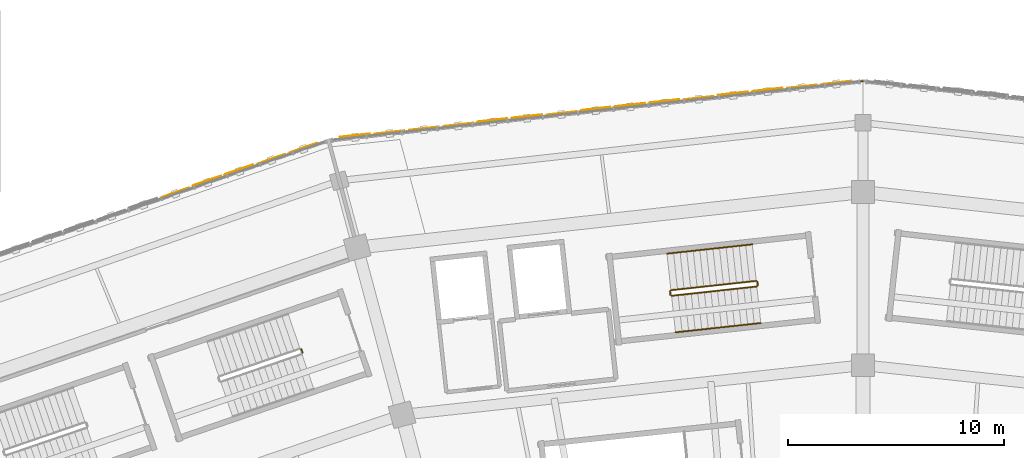
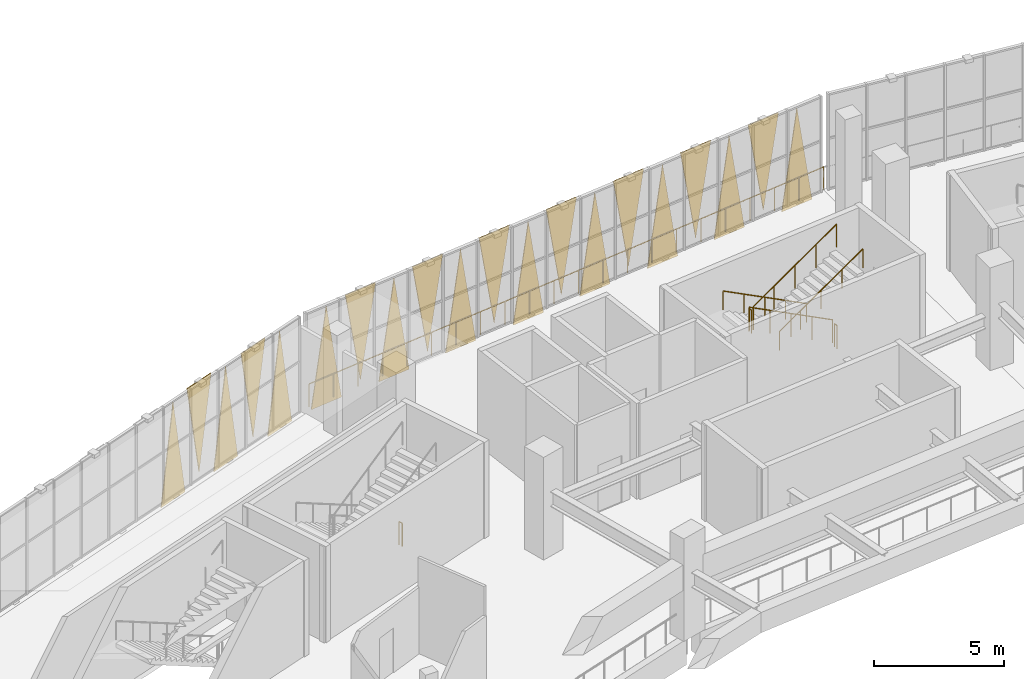
# One storey, part 167 of 179: 20 coverings, 8 railings.
"""IFC4 building model written with IfcOpenShell, lengths in metres."""

from ifc_helpers import new_model, si_unit, direction, frame, origin, origin_2d, place, context, subcontext, project, spatial, polyline, circle, outline, extrude, material, layer, layer_set, type_object, element, save


model = new_model("IFC4")

# Units and contexts
model_context = context("Model", 3, precision=1e-05, world=origin(), true_north=direction((0.0, 1.0)))
body_context = subcontext(model_context, "Body", "Model", "MODEL_VIEW")
ifc_project = project(units=[si_unit("LENGTHUNIT", "METRE"), si_unit("AREAUNIT", "SQUARE_METRE"), si_unit("VOLUMEUNIT", "CUBIC_METRE"), si_unit("PLANEANGLEUNIT", "RADIAN"), si_unit("MASSUNIT", "GRAM", prefix="KILO")], contexts=[model_context])

# Site, building, storey
site_placement = place(None, origin())
site = spatial("IfcSite", under=ifc_project, at=site_placement, CompositionType="ELEMENT")
building_placement = place(site_placement, origin())
building = spatial("IfcBuilding", under=site, at=building_placement, Name="Zevraka Park Crest Stadium", CompositionType="ELEMENT")
storey_placement = place(building_placement, frame((0.0, 0.0, 10.199951171875)))
storey = spatial("IfcBuildingStorey", under=building, at=storey_placement, Name="L02", CompositionType="ELEMENT", Elevation=10.199951171875)

# Coverings
ifc_material_1 = material(Name="Architectural golden-bronze perforated aluminium", Category="aluminium")
ifc_layer = layer(ifc_material_1, 0.034912109375)
ifc_layer_set = layer_set([ifc_layer], Name="Architectural golden-bronze perforated aluminium")
covering_type = type_object("IfcCoveringType", Name="CLD01", PredefinedType="CLADDING", material=ifc_layer_set)
covering_1_placement = place(storey_placement, frame((111.472900390625, 172.44189453125, -0.239990234375), z_axis=(-0.110543347983, 0.993871299146, 9.4612128e-05), x_axis=(-0.993871303594, -0.110543348478, 0.0)))
element("IfcCovering", 1, at=covering_1_placement, inside=storey, type_object=covering_type, Name="Triangular Golden-Bronze Perforated Cladding L02-06-1", PredefinedType="CLADDING", context=body_context, shape_type="SweptSolid", body=[
    extrude(outline(polyline([(0.0, 0.0), (1.4377667138168417, 0.0), (0.7183172281886288, 4.560058614159578), (0.0, 0.0)])), origin(), (0.0, 0.0, -1.0), 0.034912109375),
])
covering_2_placement = place(storey_placement, frame((108.4560546875, 172.10693359375, 4.47998046875), z_axis=(-0.109872351126, 0.993945705007, 4.4223378e-05), x_axis=(0.993945705979, 0.109872351233, 0.0)))
element("IfcCovering", 2, at=covering_2_placement, inside=storey, type_object=covering_type, Name="Triangular Golden-Bronze Perforated Cladding L02-06-2", PredefinedType="CLADDING", context=body_context, shape_type="SweptSolid", body=[
    extrude(outline(polyline([(0.0, 0.0), (1.4376590889512042, 8.470329472543003e-22), (0.7182363003131678, 4.260009769790666), (0.0, 0.0)])), origin(), (0.0, 0.0, -1.0), 0.034912109375),
])
covering_3_placement = place(storey_placement, frame((108.297119140625, 172.089111328125, -0.239990234375), z_axis=(0.110692393142, -0.993854707748, 0.000118272524), x_axis=(-0.993854714699, -0.110692393916, 0.0)))
element("IfcCovering", 3, at=covering_3_placement, inside=storey, type_object=covering_type, Name="Triangular Golden-Bronze Perforated Cladding L02-06-3", PredefinedType="CLADDING", context=body_context, shape_type="SweptSolid", body=[
    extrude(outline(polyline([(0.0, 0.0), (1.4380363624707853, -3.3881317890172014e-21), (0.7194494128373375, -4.560058625643939), (0.0, 0.0)])), origin(), (0.0, 0.0, -1.0), 0.034912109375),
])
covering_4_placement = place(storey_placement, frame((105.280029296875, 171.75390625, 4.47998046875), z_axis=(0.110711073677, -0.993852629191, 9.8053045e-05), x_axis=(0.993852633969, 0.110711074209, 0.0)))
element("IfcCovering", 4, at=covering_4_placement, inside=storey, type_object=covering_type, Name="Triangular Golden-Bronze Perforated Cladding L02-06-4", PredefinedType="CLADDING", context=body_context, shape_type="SweptSolid", body=[
    extrude(outline(polyline([(0.0, 0.0), (1.4377937224135535, -3.3881317890172014e-21), (0.7182362035570351, -4.26000978610372), (0.0, 0.0)])), origin(), (0.0, 0.0, -1.0), 0.034912109375),
])
covering_5_placement = place(storey_placement, frame((105.12109375, 171.737060546875, -0.239990234375), z_axis=(-0.110617734721, 0.993863021467, 0.000106420711), x_axis=(-0.993863027095, -0.110617735348, 0.0)))
element("IfcCovering", 5, at=covering_5_placement, inside=storey, type_object=covering_type, Name="Triangular Golden-Bronze Perforated Cladding L02-06-5", PredefinedType="CLADDING", context=body_context, shape_type="SweptSolid", body=[
    extrude(outline(polyline([(0.0, 0.0), (1.4390069277757649, 0.0), (0.7195574764539702, 4.56005861957217), (0.0, 0.0)])), origin(), (0.0, 0.0, -1.0), 0.034912109375),
])
covering_6_placement = place(storey_placement, frame((102.10302734375, 171.402099609375, 4.47998046875), z_axis=(0.109872351126, -0.993945705007, 4.4223378e-05), x_axis=(0.993945705979, 0.109872351233, 0.0)))
element("IfcCovering", 6, at=covering_6_placement, inside=storey, type_object=covering_type, Name="Triangular Golden-Bronze Perforated Cladding L02-06-6", PredefinedType="CLADDING", context=body_context, shape_type="SweptSolid", body=[
    extrude(outline(polyline([(0.0, 0.0), (1.4376590889512042, 8.470329472543003e-22), (0.7194227886380365, -4.260009769790666), (0.0, 0.0)])), origin(), (0.0, 0.0, -1.0), 0.034912109375),
])
covering_7_placement = place(storey_placement, frame((101.944091796875, 171.384033203125, -0.239990234375), z_axis=(0.110524695528, -0.993873375766, 6.7981619e-05), x_axis=(-0.993873378063, -0.110524695784, 0.0)))
element("IfcCovering", 7, at=covering_7_placement, inside=storey, type_object=covering_type, Name="Triangular Golden-Bronze Perforated Cladding L02-06-7", PredefinedType="CLADDING", context=body_context, shape_type="SweptSolid", body=[
    extrude(outline(polyline([(0.0, 0.0), (1.4380093584313232, 0.0), (0.7184789141278195, -4.560058604287158), (0.0, 0.0)])), origin(), (0.0, 0.0, -1.0), 0.034912109375),
])
covering_8_placement = place(storey_placement, frame((98.927001953125, 171.049072265625, 4.47998046875), z_axis=(0.110543347094, -0.993871291151, 0.000158234661), x_axis=(0.993871303594, 0.110543348478, 0.0)))
element("IfcCovering", 8, at=covering_8_placement, inside=storey, type_object=covering_type, Name="Triangular Golden-Bronze Perforated Cladding L02-06-8", PredefinedType="CLADDING", context=body_context, shape_type="SweptSolid", body=[
    extrude(outline(polyline([(0.0, 0.0), (1.4377667138168417, 0.0), (0.719422497506026, -4.260009818956506), (0.0, 0.0)])), origin(), (0.0, 0.0, -1.0), 0.034912109375),
])
covering_9_placement = place(storey_placement, frame((98.76806640625, 171.031982421875, -0.239990234375), z_axis=(-0.110543347705, 0.993871296647, 0.000118231067), x_axis=(-0.993871303594, -0.110543348478, 0.0)))
element("IfcCovering", 9, at=covering_9_placement, inside=storey, type_object=covering_type, Name="Triangular Golden-Bronze Perforated Cladding L02-06-9", PredefinedType="CLADDING", context=body_context, shape_type="SweptSolid", body=[
    extrude(outline(polyline([(0.0, 0.0), (1.4377667138168417, -3.3881317890172014e-21), (0.7195574381169606, 4.5600586256215845), (0.0, 0.0)])), origin(), (0.0, 0.0, -1.0), 0.034912109375),
])
covering_10_placement = place(storey_placement, frame((95.7509765625, 170.697021484375, 4.47998046875), z_axis=(0.109872351213, -0.993945705799, 1.9036296e-05), x_axis=(0.993945705979, 0.109872351233, 0.0)))
element("IfcCovering", 10, at=covering_10_placement, inside=storey, type_object=covering_type, Name="Triangular Golden-Bronze Perforated Cladding L02-06-10", PredefinedType="CLADDING", context=body_context, shape_type="SweptSolid", body=[
    extrude(outline(polyline([(0.0, 0.0), (1.4376590889512042, 0.0), (0.7184521385345413, -4.260009766396873), (0.0, 0.0)])), origin(), (0.0, 0.0, -1.0), 0.034912109375),
])
covering_11_placement = place(storey_placement, frame((95.592041015625, 170.678955078125, -0.239990234375), z_axis=(0.110468774198, -0.993879585984, 0.000135985296), x_axis=(-0.993879595173, -0.110468775219, 0.0)))
element("IfcCovering", 11, at=covering_11_placement, inside=storey, type_object=covering_type, Name="Triangular Golden-Bronze Perforated Cladding L02-06-11", PredefinedType="CLADDING", context=body_context, shape_type="SweptSolid", body=[
    extrude(outline(polyline([(0.0, 0.0), (1.4387372953117465, 0.0), (0.7194225460590811, -4.560058635912304), (0.0, 0.0)])), origin(), (0.0, 0.0, -1.0), 0.034912109375),
])
covering_12_placement = place(storey_placement, frame((92.573974609375, 170.343994140625, 4.47998046875), z_axis=(-0.110543347592, 0.993871295634, 0.000126558535), x_axis=(0.993871303594, 0.110543348478, 0.0)))
element("IfcCovering", 12, at=covering_12_placement, inside=storey, type_object=covering_type, Name="Triangular Golden-Bronze Perforated Cladding L02-06-12", PredefinedType="CLADDING", context=body_context, shape_type="SweptSolid", body=[
    extrude(outline(polyline([(0.0, 0.0), (1.4377667138168417, -3.3881317890172014e-21), (0.7195574381169606, 4.260009799741423), (0.0, 0.0)])), origin(), (0.0, 0.0, -1.0), 0.034912109375),
])
covering_13_placement = place(storey_placement, frame((92.4150390625, 170.326904296875, -0.239990234375), z_axis=(-0.110543348043, 0.993871299685, 8.8693756e-05), x_axis=(-0.993871303594, -0.110543348478, 0.0)))
element("IfcCovering", 13, at=covering_13_placement, inside=storey, type_object=covering_type, Name="Triangular Golden-Bronze Perforated Cladding L02-06-13", PredefinedType="CLADDING", context=body_context, shape_type="SweptSolid", body=[
    extrude(outline(polyline([(0.0, 0.0), (1.4377667138168417, -1.6940658945086007e-21), (0.7185598725498578, 4.560058611686038), (0.0, 0.0)])), origin(), (0.0, 0.0, -1.0), 0.034912109375),
])
covering_14_placement = place(storey_placement, frame((89.39794921875, 169.991943359375, 4.47998046875), z_axis=(-0.109872351224, 0.993945705899, 1.2739525e-05), x_axis=(0.993945705979, 0.109872351233, 0.0)))
element("IfcCovering", 14, at=covering_14_placement, inside=storey, type_object=covering_type, Name="Triangular Golden-Bronze Perforated Cladding L02-06-14", PredefinedType="CLADDING", context=body_context, shape_type="SweptSolid", body=[
    extrude(outline(polyline([(0.0, 0.0), (1.4376590889512042, 4.235164736271502e-22), (0.7194496129425368, 4.260009765970691), (0.0, 0.0)])), origin(), (0.0, 0.0, -1.0), 0.034912109375),
])
covering_15_placement = place(storey_placement, frame((89.239013671875, 169.97412109375, -0.239990234375), z_axis=(0.110711073396, -0.993852626665, 0.000121237977), x_axis=(-0.993852633969, -0.110711074209, 0.0)))
element("IfcCovering", 15, at=covering_15_placement, inside=storey, type_object=covering_type, Name="Triangular Golden-Bronze Perforated Cladding L02-06-15", PredefinedType="CLADDING", context=body_context, shape_type="SweptSolid", body=[
    extrude(outline(polyline([(0.0, 0.0), (1.4377937224135535, 0.0), (0.7194494025731107, -4.560058627263347), (0.0, 0.0)])), origin(), (0.0, 0.0, -1.0), 0.034912109375),
])
covering_16_placement = place(storey_placement, frame((86.782958984375, 169.58203125, -0.239990234375), z_axis=(-0.329321765518, 0.944217755746, 6.7012836e-05), x_axis=(-0.944217757866, -0.329321766257, 0.0)))
element("IfcCovering", 16, at=covering_16_placement, inside=storey, type_object=covering_type, Name="Triangular Golden-Bronze Perforated Cladding L02-07-1", PredefinedType="CLADDING", context=body_context, shape_type="SweptSolid", body=[
    extrude(outline(polyline([(0.0, 0.0), (1.4063290467827976, -3.3881317890172014e-21), (0.7034003855809297, 4.560058603988973), (0.0, 0.0)])), origin(), (0.0, 0.0, -1.0), 0.034912109375),
])
covering_17_placement = place(storey_placement, frame((83.97607421875, 168.60205078125, 4.47998046875), z_axis=(-0.329785968145, 0.944055726705, 9.449996e-06), x_axis=(0.944055726748, 0.32978596816, 0.0)))
element("IfcCovering", 17, at=covering_17_placement, inside=storey, type_object=covering_type, Name="Triangular Golden-Bronze Perforated Cladding L02-07-2", PredefinedType="CLADDING", context=body_context, shape_type="SweptSolid", body=[
    extrude(outline(polyline([(0.0, 0.0), (1.4065704192587192, -8.470329472543003e-22), (0.7031699684517781, 4.260009765815215), (0.0, 0.0)])), origin(), (0.0, 0.0, -1.0), 0.034912109375),
])
covering_18_placement = place(storey_placement, frame((83.824951171875, 168.550048828125, -0.239990234375), z_axis=(0.329940648814, -0.944001677486, 3.410275e-05), x_axis=(-0.944001678035, -0.329940649006, 0.0)))
element("IfcCovering", 18, at=covering_18_placement, inside=storey, type_object=covering_type, Name="Triangular Golden-Bronze Perforated Cladding L02-07-3", PredefinedType="CLADDING", context=body_context, shape_type="SweptSolid", body=[
    extrude(outline(polyline([(0.0, 0.0), (1.4066509522935817, 0.0), (0.7034004347684985, -4.560058596401669), (0.0, 0.0)])), origin(), (0.0, 0.0, -1.0), 0.034912109375),
])
covering_19_placement = place(storey_placement, frame((81.01806640625, 167.570068359375, 4.47998046875), z_axis=(0.329166977583, -0.94427172525, 9.8799929e-05), x_axis=(0.944271729859, 0.32916697919, 0.0)))
element("IfcCovering", 19, at=covering_19_placement, inside=storey, type_object=covering_type, Name="Triangular Golden-Bronze Perforated Cladding L02-07-4", PredefinedType="CLADDING", context=body_context, shape_type="SweptSolid", body=[
    extrude(outline(polyline([(0.0, 0.0), (1.4062486648553232, 6.776263578034403e-21), (0.7028483388184553, -4.2600097864168855), (0.0, 0.0)])), origin(), (0.0, 0.0, -1.0), 0.034912109375),
])
covering_20_placement = place(storey_placement, frame((80.866943359375, 167.51708984375, -0.239990234375), z_axis=(-0.329940648962, 0.944001677908, 1.6438083e-05), x_axis=(-0.944001678035, -0.329940649006, 0.0)))
element("IfcCovering", 20, at=covering_20_placement, inside=storey, type_object=covering_type, Name="Triangular Golden-Bronze Perforated Cladding L02-07-5", PredefinedType="CLADDING", context=body_context, shape_type="SweptSolid", body=[
    extrude(outline(polyline([(0.0, 0.0), (1.4066509522935817, -8.470329472543003e-22), (0.7034809866847597, 4.5600585943660885), (0.0, 0.0)])), origin(), (0.0, 0.0, -1.0), 0.034912109375),
])

# Railings
ifc_material_2 = material(Name="Galvanised and bronze-finished steel balustrade", Category="steel")
railing_type_1 = type_object("IfcRailingType", Name="GR01", PredefinedType="GUARDRAIL", material=ifc_material_2)
railing_1_placement = place(storey_placement, frame((87.6630859375, 169.72900390625, 0.0)))
element("IfcRailing", 21, at=railing_1_placement, inside=storey, type_object=railing_type_1, Name="Deck Edge Protection Guardrail GR01 L02-7", PredefinedType="GUARDRAIL", context=body_context, shape_type="SweptSolid", body=[
    extrude(circle(Radius=0.02392578125, at=origin_2d()), frame((0.0, 0.0, 1.076171875), z_axis=(0.993897952608, 0.110303489524, 0.0), x_axis=(-0.110303489524, 0.993897952608, 0.0)), (0.0, 0.0, 1.0), 24.486328125),
    extrude(circle(Radius=0.02099609375, at=origin_2d()), origin(), (0.0, 0.0, 1.0), 1.052001953125),
    extrude(circle(Radius=0.02099609375, at=origin_2d()), frame((1.158935546875, 0.128662109375, 0.0)), (0.0, 0.0, 1.0), 1.052001953125),
    extrude(circle(Radius=0.02099609375, at=origin_2d()), frame((2.31787109375, 0.25732421875, 0.0)), (0.0, 0.0, 1.0), 1.052001953125),
    extrude(circle(Radius=0.02099609375, at=origin_2d()), frame((3.476806640625, 0.3857421875, 0.0)), (0.0, 0.0, 1.0), 1.052001953125),
    extrude(circle(Radius=0.02099609375, at=origin_2d()), frame((4.635498046875, 0.514404296875, 0.0)), (0.0, 0.0, 1.0), 1.052001953125),
    extrude(circle(Radius=0.02099609375, at=origin_2d()), frame((5.79443359375, 0.64306640625, 0.0)), (0.0, 0.0, 1.0), 1.052001953125),
    extrude(circle(Radius=0.02099609375, at=origin_2d()), frame((6.953369140625, 0.771728515625, 0.0)), (0.0, 0.0, 1.0), 1.052001953125),
    extrude(circle(Radius=0.02099609375, at=origin_2d()), frame((8.1123046875, 0.900390625, 0.0)), (0.0, 0.0, 1.0), 1.052001953125),
    extrude(circle(Radius=0.02099609375, at=origin_2d()), frame((9.271240234375, 1.02880859375, 0.0)), (0.0, 0.0, 1.0), 1.052001953125),
    extrude(circle(Radius=0.02099609375, at=origin_2d()), frame((10.43017578125, 1.157470703125, 0.0)), (0.0, 0.0, 1.0), 1.052001953125),
    extrude(circle(Radius=0.02099609375, at=origin_2d()), frame((11.589111328125, 1.2861328125, 0.0)), (0.0, 0.0, 1.0), 1.052001953125),
    extrude(circle(Radius=0.02099609375, at=origin_2d()), frame((12.747802734375, 1.414794921875, 0.0)), (0.0, 0.0, 1.0), 1.052001953125),
    extrude(circle(Radius=0.02099609375, at=origin_2d()), frame((13.90673828125, 1.54345703125, 0.0)), (0.0, 0.0, 1.0), 1.052001953125),
    extrude(circle(Radius=0.02099609375, at=origin_2d()), frame((15.065673828125, 1.672119140625, 0.0)), (0.0, 0.0, 1.0), 1.052001953125),
    extrude(circle(Radius=0.02099609375, at=origin_2d()), frame((16.224609375, 1.800537109375, 0.0)), (0.0, 0.0, 1.0), 1.052001953125),
    extrude(circle(Radius=0.02099609375, at=origin_2d()), frame((17.383544921875, 1.92919921875, 0.0)), (0.0, 0.0, 1.0), 1.052001953125),
    extrude(circle(Radius=0.02099609375, at=origin_2d()), frame((18.54248046875, 2.057861328125, 0.0)), (0.0, 0.0, 1.0), 1.052001953125),
    extrude(circle(Radius=0.02099609375, at=origin_2d()), frame((19.701416015625, 2.1865234375, 0.0)), (0.0, 0.0, 1.0), 1.052001953125),
    extrude(circle(Radius=0.02099609375, at=origin_2d()), frame((20.860107421875, 2.315185546875, 0.0)), (0.0, 0.0, 1.0), 1.052001953125),
    extrude(circle(Radius=0.02099609375, at=origin_2d()), frame((22.01904296875, 2.443603515625, 0.0)), (0.0, 0.0, 1.0), 1.052001953125),
    extrude(circle(Radius=0.02099609375, at=origin_2d()), frame((23.177978515625, 2.572265625, 0.0)), (0.0, 0.0, 1.0), 1.052001953125),
    extrude(circle(Radius=0.02099609375, at=origin_2d()), frame((24.3369140625, 2.700927734375, 0.0)), (0.0, 0.0, 1.0), 1.052001953125),
])
ifc_material_3 = material(Name="Powder-coated tubular steel stairwell guard", Category="steel")
railing_type_2 = type_object("IfcRailingType", Name="GR03", PredefinedType="GUARDRAIL", material=ifc_material_3)
railing_2_placement = place(storey_placement, frame((107.067138671875, 163.19384765625, 0.17138671875)))
element("IfcRailing", 22, at=railing_2_placement, inside=storey, type_object=railing_type_2, Name="L02 ST07 stair guard 1", PredefinedType="GUARDRAIL", context=body_context, shape_type="SweptSolid", body=[
    extrude(circle(Radius=0.02392578125, at=origin_2d()), frame((0.0, 0.0, 1.076171875), z_axis=(-0.866609713434, -0.094357727996, 0.48998390152), x_axis=(0.108241734952, -0.994124603264, 0.0)), (0.0, 0.0, 1.0), 4.548583984375),
    extrude(circle(Radius=0.02099609375, at=origin_2d()), origin(), (0.0, 0.0, 1.0), 1.052001953125),
    extrude(circle(Radius=0.02099609375, at=origin_2d()), frame((-0.9853515625, -0.107421875, 0.55712890625)), (0.0, 0.0, 1.0), 1.052001953125),
    extrude(circle(Radius=0.02099609375, at=origin_2d()), frame((-1.970947265625, -0.214599609375, 1.1142578125)), (0.0, 0.0, 1.0), 1.052001953125),
    extrude(circle(Radius=0.02099609375, at=origin_2d()), frame((-2.95654296875, -0.32177734375, 1.671630859375)), (0.0, 0.0, 1.0), 1.052001953125),
    extrude(circle(Radius=0.02099609375, at=origin_2d()), frame((-3.94189453125, -0.42919921875, 2.228759765625)), (0.0, 0.0, 1.0), 1.052001953125),
])
railing_3_placement = place(storey_placement, frame((103.0810546875, 162.70947265625, 2.400146484375)))
element("IfcRailing", 23, at=railing_3_placement, inside=storey, type_object=railing_type_2, Name="L02 ST07 stair guard 2", PredefinedType="GUARDRAIL", context=body_context, shape_type="SweptSolid", body=[
    extrude(circle(Radius=0.02392578125, at=origin_2d()), frame((0.0, 0.0, 1.076171875), z_axis=(0.108420072245, -0.994105169454, 0.0), x_axis=(0.994105169454, 0.108420072245, 0.0)), (0.0, 0.0, 1.0), 0.159912109375),
    extrude(circle(Radius=0.02099609375, at=origin_2d()), origin(), (0.0, 0.0, 1.0), 1.052001953125),
    extrude(circle(Radius=0.02099609375, at=origin_2d()), frame((0.017333984375, -0.158935546875, 0.0)), (0.0, 0.0, 1.0), 1.052001953125),
])
railing_4_placement = place(storey_placement, frame((103.153564453125, 162.506103515625, 2.571533203125)))
element("IfcRailing", 24, at=railing_4_placement, inside=storey, type_object=railing_type_2, Name="L02 ST07 stair guard 3", PredefinedType="GUARDRAIL", context=body_context, shape_type="SweptSolid", body=[
    extrude(circle(Radius=0.02392578125, at=origin_2d()), frame((0.0, 0.0, 1.076171875), z_axis=(0.866619140956, 0.094364598935, 0.489965903911), x_axis=(-0.108248360745, 0.994123881816, 0.0)), (0.0, 0.0, 1.0), 4.54833984375),
    extrude(circle(Radius=0.02099609375, at=origin_2d()), origin(), (0.0, 0.0, 1.0), 1.052001953125),
    extrude(circle(Radius=0.02099609375, at=origin_2d()), frame((0.9853515625, 0.107421875, 0.55712890625)), (0.0, 0.0, 1.0), 1.052001953125),
    extrude(circle(Radius=0.02099609375, at=origin_2d()), frame((1.970703125, 0.214599609375, 1.1142578125)), (0.0, 0.0, 1.0), 1.052001953125),
    extrude(circle(Radius=0.02099609375, at=origin_2d()), frame((2.956298828125, 0.32177734375, 1.67138671875)), (0.0, 0.0, 1.0), 1.052001953125),
    extrude(circle(Radius=0.02099609375, at=origin_2d()), frame((3.941650390625, 0.42919921875, 2.228515625)), (0.0, 0.0, 1.0), 1.052001953125),
])
railing_5_placement = place(storey_placement, frame((107.1220703125, 163.1494140625, 0.0)))
element("IfcRailing", 25, at=railing_5_placement, inside=storey, type_object=railing_type_2, Name="L02 ST07 stair guard 4", PredefinedType="GUARDRAIL", context=body_context, shape_type="SweptSolid", body=[
    extrude(circle(Radius=0.02392578125, at=origin_2d()), frame((0.0, 0.0, 1.076171875), z_axis=(0.108420072245, -0.994105169454, 0.0), x_axis=(0.994105169454, 0.108420072245, 0.0)), (0.0, 0.0, 1.0), 0.159912109375),
    extrude(circle(Radius=0.02099609375, at=origin_2d()), origin(), (0.0, 0.0, 1.0), 1.052001953125),
    extrude(circle(Radius=0.02099609375, at=origin_2d()), frame((0.017333984375, -0.158935546875, 0.0)), (0.0, 0.0, 1.0), 1.052001953125),
])
railing_6_placement = place(storey_placement, frame((86.04736328125, 160.0322265625, 0.0)))
element("IfcRailing", 26, at=railing_6_placement, inside=storey, type_object=railing_type_2, Name="L02 ST08 stair guard 4", PredefinedType="GUARDRAIL", context=body_context, shape_type="SweptSolid", body=[
    extrude(circle(Radius=0.02392578125, at=origin_2d()), frame((0.0, 0.0, 1.076171875), z_axis=(0.32354385955, -0.946213174156, 0.0), x_axis=(0.946213174156, 0.32354385955, 0.0)), (0.0, 0.0, 1.0), 0.159912109375),
    extrude(circle(Radius=0.02099609375, at=origin_2d()), origin(), (0.0, 0.0, 1.0), 1.052001953125),
    extrude(circle(Radius=0.02099609375, at=origin_2d()), frame((0.0517578125, -0.1513671875, 0.0)), (0.0, 0.0, 1.0), 1.052001953125),
])
ifc_material_4 = material(Name="Brushed stainless steel continuous handrail", Category="steel")
railing_type_3 = type_object("IfcRailingType", Name="HR01", PredefinedType="HANDRAIL", material=ifc_material_4)
railing_7_placement = place(storey_placement, frame((106.883056640625, 164.8837890625, 0.17138671875)))
element("IfcRailing", 27, at=railing_7_placement, inside=storey, type_object=railing_type_3, Name="L02 ST07 stair handrail 1", PredefinedType="HANDRAIL", context=body_context, shape_type="SweptSolid", body=[
    extrude(circle(Radius=0.02392578125, at=origin_2d()), frame((0.0, 0.0, 0.8759765625), z_axis=(-0.866596348506, -0.094362117106, 0.490006693435), x_axis=(0.108248360745, -0.994123881816, 0.0)), (0.0, 0.0, 1.0), 4.54833984375),
    extrude(circle(Radius=0.02099609375, at=origin_2d()), origin(), (0.0, 0.0, 1.0), 0.851806640625),
    extrude(circle(Radius=0.02099609375, at=origin_2d()), frame((-0.9853515625, -0.107421875, 0.55712890625)), (0.0, 0.0, 1.0), 0.851806640625),
    extrude(circle(Radius=0.02099609375, at=origin_2d()), frame((-1.970703125, -0.214599609375, 1.1142578125)), (0.0, 0.0, 1.0), 0.851806640625),
    extrude(circle(Radius=0.02099609375, at=origin_2d()), frame((-2.956298828125, -0.32177734375, 1.671630859375)), (0.0, 0.0, 1.0), 0.851806640625),
    extrude(circle(Radius=0.02099609375, at=origin_2d()), frame((-3.941650390625, -0.42919921875, 2.228759765625)), (0.0, 0.0, 1.0), 0.851806640625),
])
railing_8_placement = place(storey_placement, frame((103.33740234375, 160.816162109375, 2.571533203125)))
element("IfcRailing", 28, at=railing_8_placement, inside=storey, type_object=railing_type_3, Name="L02 ST07 stair handrail 2", PredefinedType="HANDRAIL", context=body_context, shape_type="SweptSolid", body=[
    extrude(circle(Radius=0.02392578125, at=origin_2d()), frame((0.0, 0.0, 0.8759765625), z_axis=(0.866619140956, 0.094364598935, 0.489965903911), x_axis=(-0.108248360745, 0.994123881816, 0.0)), (0.0, 0.0, 1.0), 4.54833984375),
    extrude(circle(Radius=0.02099609375, at=origin_2d()), origin(), (0.0, 0.0, 1.0), 0.851806640625),
    extrude(circle(Radius=0.02099609375, at=origin_2d()), frame((0.9853515625, 0.107421875, 0.55712890625)), (0.0, 0.0, 1.0), 0.851806640625),
    extrude(circle(Radius=0.02099609375, at=origin_2d()), frame((1.970703125, 0.214599609375, 1.1142578125)), (0.0, 0.0, 1.0), 0.851806640625),
    extrude(circle(Radius=0.02099609375, at=origin_2d()), frame((2.956298828125, 0.32177734375, 1.67138671875)), (0.0, 0.0, 1.0), 0.851806640625),
    extrude(circle(Radius=0.02099609375, at=origin_2d()), frame((3.941650390625, 0.42919921875, 2.228515625)), (0.0, 0.0, 1.0), 0.851806640625),
])

save(model, "model.ifc")
